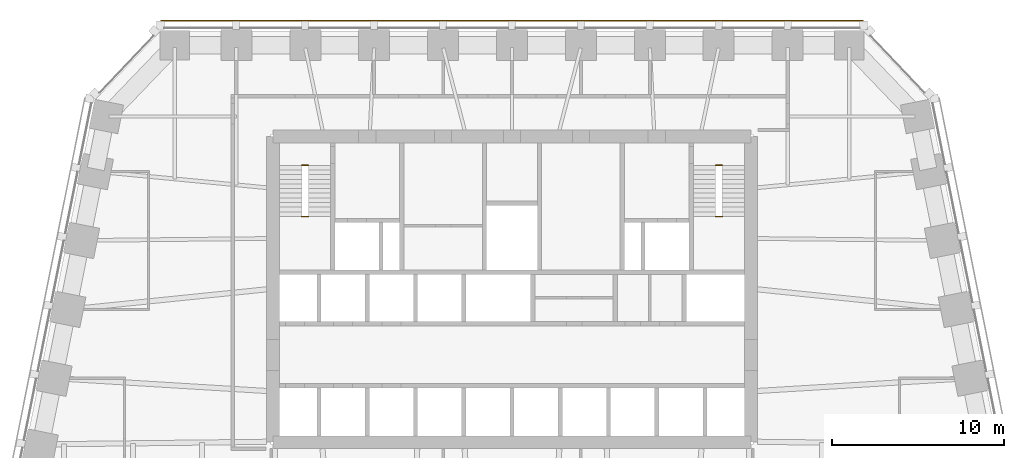
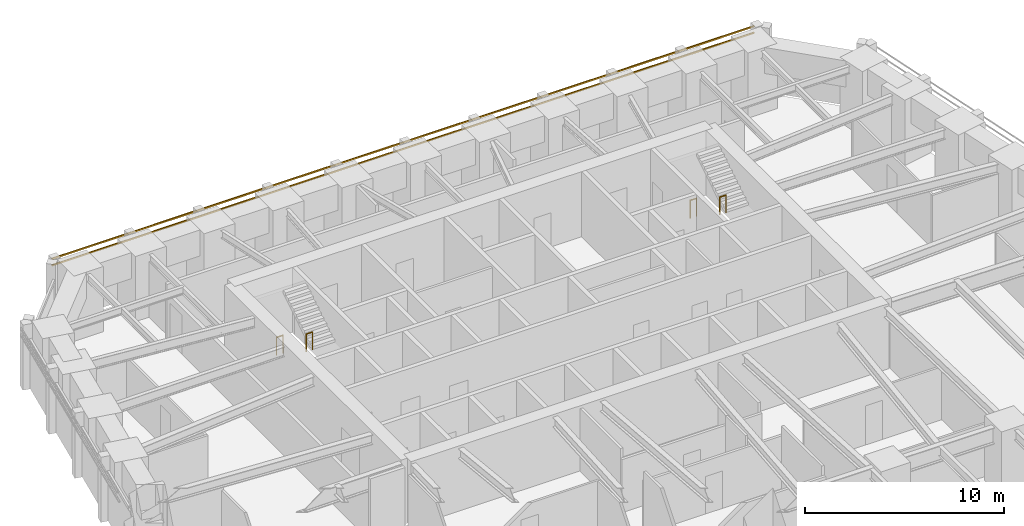
# One storey, part 10 of 10: 4 railings, 2 shading devices.
"""IFC4 building model written with IfcOpenShell, lengths in metres."""

from ifc_helpers import new_model, si_unit, direction, frame, origin, origin_2d, place, context, subcontext, project, spatial, rectangle, circle, extrude, material, material_profile, profile_set, type_object, element, save


model = new_model("IFC4")

# Units and contexts
model_context = context("Model", 3, precision=1e-05, world=origin(), true_north=direction((0.0, 1.0)))
body_context = subcontext(model_context, "Body", "Model", "MODEL_VIEW")
ifc_project = project(units=[si_unit("LENGTHUNIT", "METRE"), si_unit("AREAUNIT", "SQUARE_METRE"), si_unit("VOLUMEUNIT", "CUBIC_METRE"), si_unit("PLANEANGLEUNIT", "RADIAN"), si_unit("MASSUNIT", "GRAM", prefix="KILO")], contexts=[model_context])

# Site, building, storey
site_placement = place(None, origin())
site = spatial("IfcSite", under=ifc_project, at=site_placement, CompositionType="ELEMENT")
building_placement = place(site_placement, origin())
building = spatial("IfcBuilding", under=site, at=building_placement, Name="Isbrekke Arena Tower", CompositionType="ELEMENT")
storey_placement = place(building_placement, frame((0.0, 0.0, 143.0)))
storey = spatial("IfcBuildingStorey", under=building, at=storey_placement, Name="L32", CompositionType="ELEMENT", Elevation=143.0)

# Shading devices
ifc_material_1 = material(Name="Terracotta", Category="masonry")
ifc_material_profile = material_profile(ifc_material_1, rectangle(XDim=0.06005859375, YDim=0.06005859375, at=origin_2d()), Name="BAGUETTE 60X60")
ifc_profile_set = profile_set([ifc_material_profile], Name="Terracotta")
shading_device_type = type_object("IfcShadingDeviceType", Name="BG1 TERRACOTTA BAGUETTE 60 x 60", PredefinedType="USERDEFINED", material=ifc_profile_set)
for number, where, z_axis, x_axis, name in (
    (1, (20.39990234375, 30.60498046875, 3.280029296875), (-1.0, 0.0, 0.0), (0.0, -1.0, 0.0), "BG1 terracotta baguette N1 L32"),
    (2, (20.39990234375, 30.60498046875, 3.679931640625), (-1.0, 0.0, 0.0), (0.0, -1.0, 0.0), "BG1 terracotta baguette N2 L32"),
):
    element("IfcShadingDevice", number, at=place(storey_placement, frame(where, z_axis=z_axis, x_axis=x_axis)), inside=storey, type_object=shading_device_type, Name=name, ObjectType="TERRACOTTA BAGUETTE", PredefinedType="USERDEFINED", context=body_context, shape_type="SweptSolid", body=[
        extrude(rectangle(XDim=0.06005859375, YDim=0.06005859375, at=origin_2d()), origin(), (0.0, 0.0, 1.0), 40.7998046875),
    ])

# Railings
ifc_material_2 = material(Name="Steel stair guard, vertical bars, steel handrail", Category="steel")
railing_type = type_object("IfcRailingType", Name="GR3 STAIR WELL GUARD 1100", PredefinedType="GUARDRAIL", material=ifc_material_2)
for number, where, name in (
    (3, (-12.199951171875, 22.199951171875, 0.0), "GR3 stair well guard ST1 L32"),
    (4, (-12.199951171875, 19.22998046875, 2.0), "GR3 stair well guard ST1 L32"),
    (5, (11.824951171875, 22.199951171875, 0.0), "GR3 stair well guard ST2 L32"),
    (6, (11.824951171875, 19.22998046875, 2.0), "GR3 stair well guard ST2 L32"),
):
    element("IfcRailing", number, at=place(storey_placement, frame(where)), inside=storey, type_object=railing_type, Name=name, PredefinedType="GUARDRAIL", context=body_context, shape_type="SweptSolid", body=[
        extrude(circle(Radius=0.02392578125, at=origin_2d()), frame((0.0, 0.0, 1.076171875), z_axis=(1.0, 0.0, 0.0), x_axis=(0.0, 1.0, 0.0)), (0.0, 0.0, 1.0), 0.375),
        extrude(circle(Radius=0.02099609375, at=origin_2d()), origin(), (0.0, 0.0, 1.0), 1.052001953125),
        extrude(circle(Radius=0.02099609375, at=origin_2d()), frame((0.375, 0.0, 0.0)), (0.0, 0.0, 1.0), 1.052001953125),
    ])

save(model, "model.ifc")
